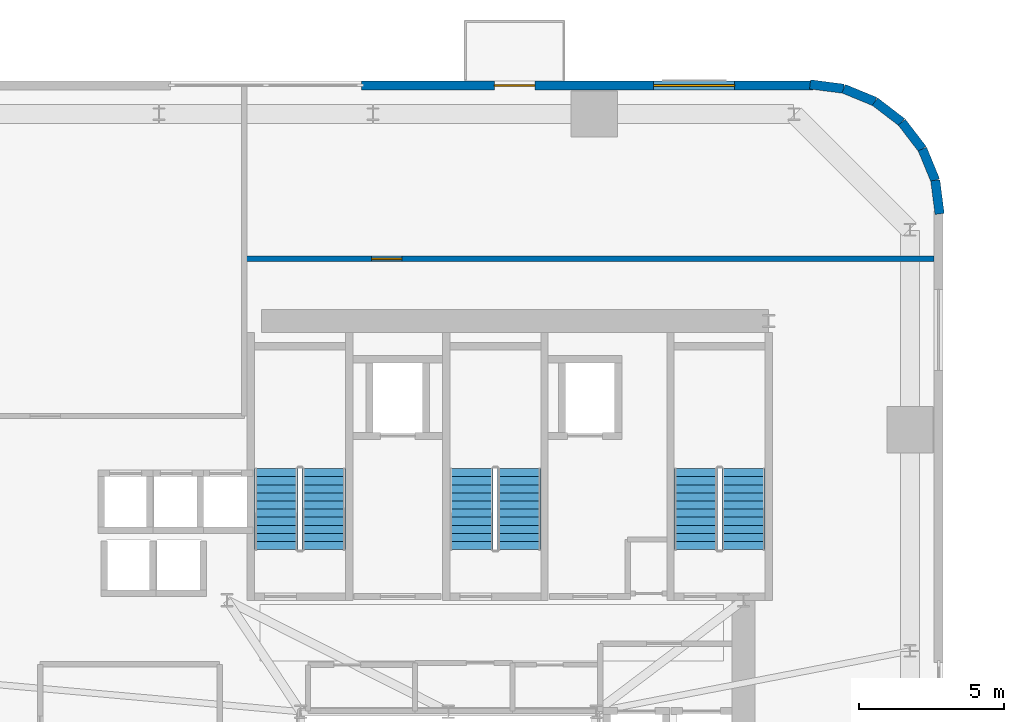
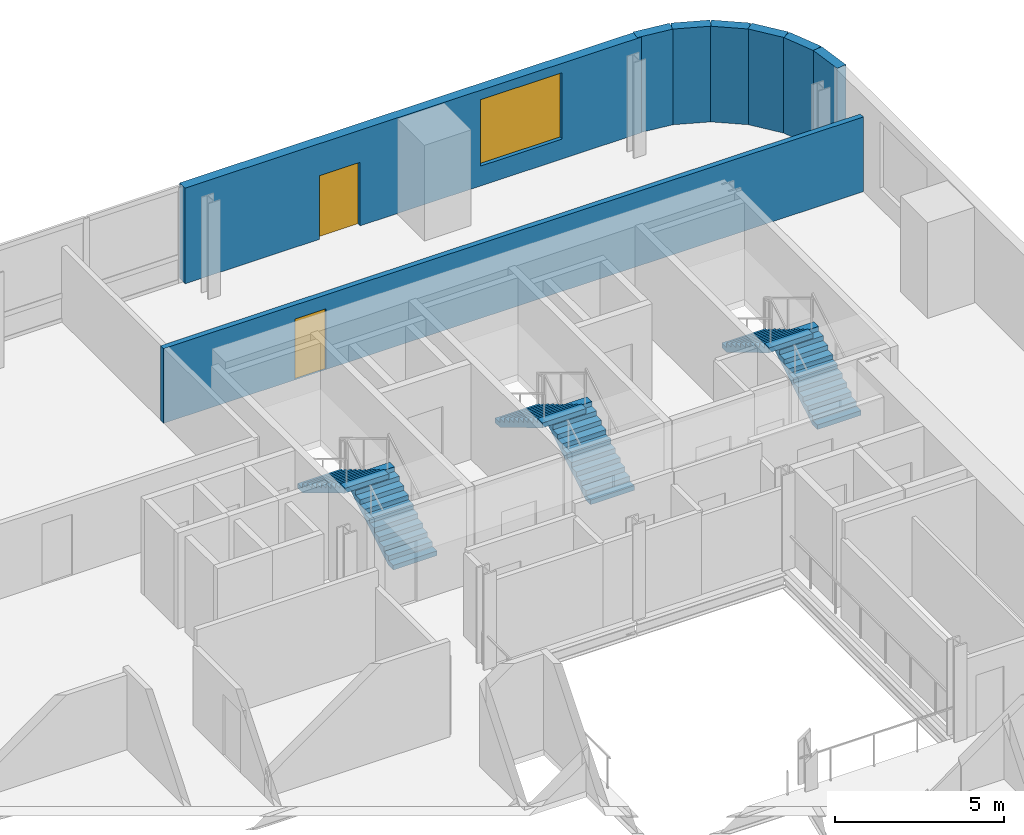
# One storey, part 9 of 14: 8 walls, 6 stair flights, 2 doors, 1 window, 3 openings, 3 elements without a shape of their own.
"""IFC4 building model written with IfcOpenShell, lengths in metres."""

import ifcopenshell
import ifcopenshell.guid

model = None  # the IFC model being written
_history = None  # IfcOwnerHistory: only IFC2X3 demands one
_inside = {}  # id of a spatial element -> (the spatial element, [elements in it])
_under = {}  # id of a project, library or spatial element -> (it, [spatial elements below it])
_declared = {}  # id of a project -> (the project, [libraries it declares])
_typed = {}  # id of a type object -> (the type object, [elements of that type])
_made_of = {}  # id of a material, layer set ... -> (it, [elements and type objects made of it])


def new_model(schema):
    """Start an empty IFC model of exactly this schema.

    Asked for "IFC4X3", IfcOpenShell would pick the latest addendum, in which some entities
    have other attributes; the version numbers below select the first issue.
    IFC2X3 requires an IfcOwnerHistory on every rooted entity: one is made here for all.
    """
    global model, _history
    if schema == "IFC4X3":
        model = ifcopenshell.file(schema_version=(4, 3, 0, 0))
    else:
        model = ifcopenshell.file(schema=schema)
    _inside.clear()
    _under.clear()
    _declared.clear()
    _typed.clear()
    _made_of.clear()
    _history = None
    if model.schema == "IFC2X3":
        org = make("IfcOrganization", Name="unknown")
        user = make(
            "IfcPersonAndOrganization",
            ThePerson=make("IfcPerson", FamilyName="unknown"),
            TheOrganization=org,
        )
        app = make(
            "IfcApplication",
            ApplicationDeveloper=org,
            Version="unknown",
            ApplicationFullName="unknown",
            ApplicationIdentifier="unknown",
        )
        _history = make(
            "IfcOwnerHistory",
            OwningUser=user,
            OwningApplication=app,
            ChangeAction="ADDED",
            CreationDate=0,
        )
    return model


def make(cls, **values):
    """One entity of the class cls with the attributes given. An attribute that is None is left unset."""
    return model.create_entity(
        cls, **{name: value for name, value in values.items() if value is not None}
    )


def rooted(cls, **values):
    """An entity with a GlobalId (a new one), such as an element, a storey or a relation."""
    return make(cls, GlobalId=ifcopenshell.guid.new(), OwnerHistory=_history, **values)


def si_unit(unit_type, name, prefix=None):
    """IfcSIUnit, for example si_unit("LENGTHUNIT", "METRE", prefix="MILLI")."""
    return make("IfcSIUnit", UnitType=unit_type, Prefix=prefix, Name=name)


def assignment(units):
    """IfcUnitAssignment: the units of a project."""
    return None if units is None else make("IfcUnitAssignment", Units=units)


def point(xyz):
    """IfcCartesianPoint."""
    return None if xyz is None else make("IfcCartesianPoint", Coordinates=xyz)


def direction(xyz):
    """IfcDirection."""
    return None if xyz is None else make("IfcDirection", DirectionRatios=xyz)


def frame(location, z_axis=None, x_axis=None):
    """IfcAxis2Placement3D, a coordinate frame: its origin and axes. An axis left out is left unset."""
    return make(
        "IfcAxis2Placement3D",
        Location=point(location),
        Axis=direction(z_axis),
        RefDirection=direction(x_axis),
    )


def frame_2d(location, x_axis=None):
    """IfcAxis2Placement2D, a coordinate frame in the plane: its origin and x axis."""
    return make(
        "IfcAxis2Placement2D", Location=point(location), RefDirection=direction(x_axis)
    )


def origin():
    """The frame at (0, 0, 0) with its axes left unset."""
    return frame((0.0, 0.0, 0.0))


def place(relative_to, where):
    """IfcLocalPlacement: puts the frame where relative to a parent placement (None: the world)."""
    return make(
        "IfcLocalPlacement", PlacementRelTo=relative_to, RelativePlacement=where
    )


def context(
    kind, dimensions, precision=None, world=None, true_north=None, identifier=None
):
    """IfcGeometricRepresentationContext, for example the 3D "Model" context."""
    return make(
        "IfcGeometricRepresentationContext",
        ContextIdentifier=identifier,
        ContextType=kind,
        CoordinateSpaceDimension=dimensions,
        Precision=precision,
        WorldCoordinateSystem=world,
        TrueNorth=true_north,
    )


def subcontext(parent, identifier, kind, view, scale=None):
    """IfcGeometricRepresentationSubContext, for example "Body" below "Model"."""
    return make(
        "IfcGeometricRepresentationSubContext",
        ContextIdentifier=identifier,
        ContextType=kind,
        ParentContext=parent,
        TargetScale=scale,
        TargetView=view,
    )


def project(units=None, contexts=None):
    """IfcProject with its units and contexts."""
    return rooted(
        "IfcProject",
        Name="project",
        RepresentationContexts=contexts,
        UnitsInContext=assignment(units),
    )


def spatial(cls, under=None, at=None, **own):
    """A site, building, storey or space (cls), placed at a placement, below another one or the project."""
    s = rooted(cls, ObjectPlacement=at, **own)
    if under is not None:
        _under.setdefault(under.id(), (under, []))[1].append(s)
    return s


def polyline(points):
    """IfcPolyline through the points."""
    return make("IfcPolyline", Points=[point(p) for p in points])


def profile(cls, at=None, kind="AREA", **sizes):
    """A parametric profile (cls). Its sizes go by their IFC names, for example OverallWidth=200.0."""
    return make(cls, ProfileType=kind, Position=at, **sizes)


def rectangle(**sizes):
    """IfcRectangleProfileDef."""
    return profile("IfcRectangleProfileDef", **sizes)


def outline(outer, holes=None, kind="AREA"):
    """IfcArbitraryClosedProfileDef: a profile drawn as a closed curve; with holes, ...WithVoids."""
    if holes is None:
        return make("IfcArbitraryClosedProfileDef", ProfileType=kind, OuterCurve=outer)
    return make(
        "IfcArbitraryProfileDefWithVoids",
        ProfileType=kind,
        OuterCurve=outer,
        InnerCurves=holes,
    )


def extrude(swept, where, along, depth):
    """IfcExtrudedAreaSolid: the profile swept, set in the frame where, extruded along a direction by depth."""
    return make(
        "IfcExtrudedAreaSolid",
        SweptArea=swept,
        Position=where,
        ExtrudedDirection=direction(along),
        Depth=depth,
    )


def shape(context_of_items, identifier, shape_type, items):
    """IfcShapeRepresentation: the items that make up one representation, for example the "Body"."""
    return make(
        "IfcShapeRepresentation",
        ContextOfItems=context_of_items,
        RepresentationIdentifier=identifier,
        RepresentationType=shape_type,
        Items=items,
    )


def source(mapping_origin, context_of_items, identifier, shape_type, items):
    """IfcRepresentationMap: a shape defined once, which mapped items show again and again."""
    return make(
        "IfcRepresentationMap",
        MappingOrigin=mapping_origin,
        MappedRepresentation=shape(context_of_items, identifier, shape_type, items),
    )


def transform(
    local_origin,
    x_axis=None,
    y_axis=None,
    z_axis=None,
    scale=None,
    scale2=None,
    scale3=None,
    uniform=True,
):
    """IfcCartesianTransformationOperator3D, or its non-uniform kind. x_axis, y_axis, z_axis: its Axis1, 2, 3."""
    if uniform:
        return make(
            "IfcCartesianTransformationOperator3D",
            Axis1=direction(x_axis),
            Axis2=direction(y_axis),
            LocalOrigin=point(local_origin),
            Scale=scale,
            Axis3=direction(z_axis),
        )
    return make(
        "IfcCartesianTransformationOperator3DnonUniform",
        Axis1=direction(x_axis),
        Axis2=direction(y_axis),
        LocalOrigin=point(local_origin),
        Scale=scale,
        Axis3=direction(z_axis),
        Scale2=scale2,
        Scale3=scale3,
    )


def mapped(mapping_source, mapping_target):
    """IfcMappedItem: shows the shape of a source again, moved by a transform."""
    return make(
        "IfcMappedItem", MappingSource=mapping_source, MappingTarget=mapping_target
    )


def material(Name=None, Category=None):
    """IfcMaterial."""
    return make("IfcMaterial", Name=Name, Category=Category)


def layer(
    of_material, thickness, ventilated=None, Name=None, Category=None, Priority=None
):
    """IfcMaterialLayer: one layer of a wall or slab, of a material (None: an air gap)."""
    return make(
        "IfcMaterialLayer",
        Material=of_material,
        LayerThickness=thickness,
        IsVentilated=ventilated,
        Name=Name,
        Category=Category,
        Priority=Priority,
    )


def layer_set(layers, Name=None):
    """IfcMaterialLayerSet."""
    return make("IfcMaterialLayerSet", MaterialLayers=layers, LayerSetName=Name)


def made_of(thing, what):
    """Note that an element or type object is made of a material, layer set ...; save() writes the relation."""
    if what is not None:
        _made_of.setdefault(what.id(), (what, []))[1].append(thing)
    return thing


def type_object(cls, material=None, **own):
    """A type object (cls), such as IfcWallType, which elements share."""
    return made_of(rooted(cls, **own), material)


def element(
    cls,
    number,
    at=None,
    inside=None,
    cuts=None,
    type_object=None,
    material=None,
    context=None,
    identifier="Body",
    shape_type=None,
    held_by="IfcProductDefinitionShape",
    body=None,
    shapes=None,
    **own,
):
    """One element of the class cls, such as IfcWall. Its Tag is "e" and its number.

    at: its placement. inside: the storey or other place that contains it. cuts: it is an
    opening in that element (IfcRelVoidsElement). A single representation is given by context,
    identifier, shape_type and body (its items); several are given by shapes. held_by: the class
    of the entity that holds the representations. save() writes the other relations.
    """
    e = rooted(cls, Tag="e%d" % number, ObjectPlacement=at, **own)
    if body is not None:
        shapes = [shape(context, identifier, shape_type, body)]
    if shapes is not None:
        e.Representation = make(held_by, Representations=shapes)
    if inside is not None:
        _inside.setdefault(inside.id(), (inside, []))[1].append(e)
    if cuts is not None:
        rooted(
            "IfcRelVoidsElement", RelatingBuildingElement=cuts, RelatedOpeningElement=e
        )
    if type_object is not None:
        _typed.setdefault(type_object.id(), (type_object, []))[1].append(e)
    return made_of(e, material)


def fill(opening, filler):
    """IfcRelFillsElement: the door or window that sits in an opening."""
    return rooted(
        "IfcRelFillsElement",
        RelatingOpeningElement=opening,
        RelatedBuildingElement=filler,
    )


def aggregate(whole, parts):
    """IfcRelAggregates: a whole, such as a stair, and the parts it consists of."""
    return rooted("IfcRelAggregates", RelatingObject=whole, RelatedObjects=parts)


def save(model, path):
    """Write the relations noted so far, then the file.

    IfcRelAggregates (storeys below a building ...), IfcRelContainedInSpatialStructure (elements
    in a storey), IfcRelDefinesByType, IfcRelAssociatesMaterial and IfcRelDeclares: one each for
    every whole, place, type object, material and project.
    """
    for whole, parts in _under.values():
        aggregate(whole, parts)
    for where, things in _inside.values():
        rooted(
            "IfcRelContainedInSpatialStructure",
            RelatedElements=things,
            RelatingStructure=where,
        )
    for kind, things in _typed.values():
        rooted("IfcRelDefinesByType", RelatedObjects=things, RelatingType=kind)
    for what, things in _made_of.values():
        rooted("IfcRelAssociatesMaterial", RelatedObjects=things, RelatingMaterial=what)
    for by, libraries in _declared.values():
        rooted("IfcRelDeclares", RelatingContext=by, RelatedDefinitions=libraries)
    model.write(path)


model = new_model("IFC4")

# Units and contexts
model_context = context("Model", 3, precision=1e-05, world=origin(), true_north=direction((0.0, 1.0)))
body_context = subcontext(model_context, "Body", "Model", "MODEL_VIEW")
ifc_project = project(units=[si_unit("LENGTHUNIT", "METRE"), si_unit("AREAUNIT", "SQUARE_METRE"), si_unit("VOLUMEUNIT", "CUBIC_METRE"), si_unit("PLANEANGLEUNIT", "RADIAN"), si_unit("MASSUNIT", "GRAM", prefix="KILO")], contexts=[model_context])

# Site, building, storey
site_placement = place(None, origin())
site = spatial("IfcSite", under=ifc_project, at=site_placement, CompositionType="ELEMENT")
building_placement = place(site_placement, origin())
building = spatial("IfcBuilding", under=site, at=building_placement, Name="Vardaveli Station Tower", CompositionType="ELEMENT")
storey_placement = place(building_placement, frame((0.0, 0.0, 126.10009765625)))
storey = spatial("IfcBuildingStorey", under=building, at=storey_placement, Name="L32", CompositionType="ELEMENT", Elevation=126.10009765625)

# Wall, openings, door, window
ifc_material_1 = material(Name="Precast concrete C45/55", Category="concrete")
ifc_layer_1 = layer(ifc_material_1, 0.320068359375, Name="Precast concrete C45/55")
ifc_layer_set_1 = layer_set([ifc_layer_1], Name="Precast concrete C45/55")
wall_type_1 = type_object("IfcWallType", Name="WAL-EXT-STONE-320", PredefinedType="SOLIDWALL", material=ifc_layer_set_1)
shared_shape_1 = source(origin(), body_context, "Body", "SweptSolid", [
    extrude(rectangle(XDim=15.599853515625, YDim=0.320068359375, at=frame_2d((7.7998046875, 0.0))), origin(), (0.0, 0.0, 1.0), 3.4599609375),
])
wall_1_placement = place(storey_placement, frame((48.89990234375, 48.43994140625, 0.0), z_axis=(0.0, 0.0, 1.0), x_axis=(-1.0, 0.0, 0.0)))
wall_1 = element("IfcWall", 1, at=wall_1_placement, inside=storey, type_object=wall_type_1, Name="EW-L32-N1", PredefinedType="SOLIDWALL", context=body_context, shape_type="MappedRepresentation", body=[
    mapped(shared_shape_1, transform((0.0, 0.0, 0.0), scale=1.0)),
])
shared_shape_2 = source(origin(), body_context, "Body", "SweptSolid", [
    extrude(rectangle(XDim=1.39990234375, YDim=2.300048828125, at=frame_2d((0.699951171875, 1.14990234375))), frame((0.0, 0.169921875, 0.0), z_axis=(0.0, -1.0, 0.0), x_axis=(1.0, 0.0, 0.0)), (0.0, 0.0, 1.0), 0.340087890625),
])
opening_1_placement = place(wall_1_placement, frame((9.6103515625, 0.0, 0.0)))
opening_1 = element("IfcOpeningElement", 2, at=opening_1_placement, cuts=wall_1, Name="Opening D-09", PredefinedType="OPENING", context=body_context, shape_type="MappedRepresentation", body=[
    mapped(shared_shape_2, transform((0.0, 0.0, 0.0), scale=1.0)),
])
shared_shape_3 = source(origin(), body_context, "Body", "SweptSolid", [
    extrude(rectangle(XDim=2.800048828125, YDim=2.39990234375, at=frame_2d((1.39990234375, 1.199951171875))), frame((0.0, 0.169921875, 0.0), z_axis=(0.0, -1.0, 0.0), x_axis=(1.0, 0.0, 0.0)), (0.0, 0.0, 1.0), 0.340087890625),
])
opening_2_placement = place(wall_1_placement, frame((2.705078125, 0.0, 0.719970703125)))
opening_2 = element("IfcOpeningElement", 3, at=opening_2_placement, cuts=wall_1, Name="Opening W-04", PredefinedType="OPENING", context=body_context, shape_type="MappedRepresentation", body=[
    mapped(shared_shape_3, transform((0.0, 0.0, 0.0), scale=1.0)),
])
ifc_material_2 = material(Name="Thermally broken aluminium glass", Category="aluminium")
door_type_1 = type_object("IfcDoorType", Name="DR-LOG-1400x2300", OperationType="DOUBLE_DOOR_SLIDING", PredefinedType="DOOR", material=ifc_material_2)
shared_shape_4 = source(origin(), body_context, "Body", "SweptSolid", [
    extrude(rectangle(XDim=1.39990234375, YDim=2.300048828125, at=frame_2d((0.699951171875, 1.14990234375))), frame((0.0, 0.02490234375, 0.0), z_axis=(0.0, -1.0, 0.0), x_axis=(1.0, 0.0, 0.0)), (0.0, 0.0, 1.0), 0.050048828125),
])
door_1_placement = place(opening_1_placement, frame((1.39990234375, 0.0, 0.0), z_axis=(0.0, 0.0, 1.0), x_axis=(-1.0, 0.0, 0.0)))
door_1 = element("IfcDoor", 4, at=door_1_placement, inside=storey, type_object=door_type_1, Name="DLG-L32-N", OperationType="DOUBLE_DOOR_SLIDING", OverallHeight=2.300048828125, OverallWidth=1.39990234375, PredefinedType="DOOR", context=body_context, shape_type="MappedRepresentation", body=[
    mapped(shared_shape_4, transform((0.0, 0.0, 0.0), scale=1.0)),
])
fill(opening_1, door_1)
ifc_material_3 = material(Name="Low-E solar-control glass", Category="glass")
window_type = type_object("IfcWindowType", Name="WIN-SUITE-2800x2400", PartitioningType="SINGLE_PANEL", PredefinedType="WINDOW", material=ifc_material_3)
shared_shape_5 = source(origin(), body_context, "Body", "SweptSolid", [
    extrude(rectangle(XDim=2.800048828125, YDim=2.39990234375, at=frame_2d((1.39990234375, 1.199951171875))), frame((0.0, 0.030029296875, 0.0), z_axis=(0.0, -1.0, 0.0), x_axis=(1.0, 0.0, 0.0)), (0.0, 0.0, 1.0), 0.06005859375),
])
window_placement = place(opening_2_placement, origin())
window = element("IfcWindow", 5, at=window_placement, inside=storey, type_object=window_type, Name="WN-L32-N1", OverallHeight=2.39990234375, OverallWidth=2.800048828125, PartitioningType="SINGLE_PANEL", PredefinedType="WINDOW", context=body_context, shape_type="MappedRepresentation", body=[
    mapped(shared_shape_5, transform((0.0, 0.0, 0.0), scale=1.0)),
])
fill(opening_2, window)

# Walls
shared_shape_6 = source(origin(), body_context, "Body", "SweptSolid", [
    extrude(rectangle(XDim=1.1689453125, YDim=0.320068359375, at=frame_2d((0.58447265625, 0.0))), origin(), (0.0, 0.0, 1.0), 3.4599609375),
])
wall_2_placement = place(storey_placement, frame((52.679931640625, 46.2412109375, 0.0), z_axis=(0.0, 0.0, 1.0), x_axis=(-0.608387696831, 0.793639975269, 0.0)))
element("IfcWall", 6, at=wall_2_placement, inside=storey, type_object=wall_type_1, Name="EW-L32-CR3-3", PredefinedType="SOLIDWALL", context=body_context, shape_type="MappedRepresentation", body=[
    mapped(shared_shape_6, transform((0.0, 0.0, 0.0), scale=1.0)),
])
shared_shape_7 = source(origin(), body_context, "Body", "SweptSolid", [
    extrude(rectangle(XDim=1.168701171875, YDim=0.320068359375, at=frame_2d((0.58447265625, 0.0))), origin(), (0.0, 0.0, 1.0), 3.4599609375),
])
wall_3_placement = place(storey_placement, frame((51.96875, 47.1689453125, 0.0), z_axis=(0.0, 0.0, 1.0), x_axis=(-0.793663520347, 0.608356981114, 0.0)))
element("IfcWall", 7, at=wall_3_placement, inside=storey, type_object=wall_type_1, Name="EW-L32-CR3-4", PredefinedType="SOLIDWALL", context=body_context, shape_type="MappedRepresentation", body=[
    mapped(shared_shape_7, transform((0.0, 0.0, 0.0), scale=1.0)),
])
shared_shape_8 = source(origin(), body_context, "Body", "SweptSolid", [
    extrude(rectangle(XDim=1.17041015625, YDim=0.320068359375, at=frame_2d((0.585205078125, 0.0))), origin(), (0.0, 0.0, 1.0), 3.4599609375),
])
for number, where, z_axis, x_axis, name in (
    (8, (53.275634765625, 43.99951171875, 0.0), (0.0, 0.0, 1.0), (-0.128295670475, 0.991735963317, 0.0), "EW-L32-CR3-1"),
    (9, (49.960205078125, 48.325439453125, 0.0), (0.0, 0.0, 1.0), (-0.991735963317, 0.128295670475, 0.0), "EW-L32-CR3-6"),
):
    element("IfcWall", number, at=place(storey_placement, frame(where, z_axis=z_axis, x_axis=x_axis)), inside=storey, type_object=wall_type_1, Name=name, PredefinedType="SOLIDWALL", context=body_context, shape_type="MappedRepresentation", body=[
        mapped(shared_shape_8, transform((0.0, 0.0, 0.0), scale=1.0)),
    ])
shared_shape_9 = source(origin(), body_context, "Body", "SweptSolid", [
    extrude(rectangle(XDim=1.169189453125, YDim=0.320068359375, at=frame_2d((0.58447265625, 0.0))), origin(), (0.0, 0.0, 1.0), 3.4599609375),
])
for number, where, z_axis, x_axis, name in (
    (10, (53.12548828125, 45.16015625, 0.0), (0.0, 0.0, 1.0), (-0.381054331552, 0.924552646638, 0.0), "EW-L32-CR3-2"),
    (11, (51.041259765625, 47.8798828125, 0.0), (0.0, 0.0, 1.0), (-0.924552646638, 0.381054331552, 0.0), "EW-L32-CR3-5"),
):
    element("IfcWall", number, at=place(storey_placement, frame(where, z_axis=z_axis, x_axis=x_axis)), inside=storey, type_object=wall_type_1, Name=name, PredefinedType="SOLIDWALL", context=body_context, shape_type="MappedRepresentation", body=[
        mapped(shared_shape_9, transform((0.0, 0.0, 0.0), scale=1.0)),
    ])

# Wall, opening, door
ifc_material_4 = material(Name="Fire-rated gypsum stud partition")
ifc_layer_2 = layer(ifc_material_4, 0.179931640625, Name="Fire-rated gypsum stud partition")
ifc_layer_set_2 = layer_set([ifc_layer_2], Name="Fire-rated gypsum stud partition")
wall_type_2 = type_object("IfcWallType", Name="WAL-CORR-180", PredefinedType="PARTITIONING", material=ifc_layer_set_2)
shared_shape_10 = source(origin(), body_context, "Body", "SweptSolid", [
    extrude(rectangle(XDim=23.927978515625, YDim=0.179931640625, at=frame_2d((11.9638671875, 0.0))), origin(), (0.0, 0.0, 1.0), 2.701904296875),
])
wall_4_placement = place(storey_placement, frame((29.14990234375, 42.449951171875, 0.0), z_axis=(0.0, 0.0, 1.0), x_axis=(1.0, 0.0, 0.0)))
wall_4 = element("IfcWall", 12, at=wall_4_placement, inside=storey, type_object=wall_type_2, Name="W-L32-NPS", PredefinedType="PARTITIONING", context=body_context, shape_type="MappedRepresentation", body=[
    mapped(shared_shape_10, transform((0.0, 0.0, 0.0), scale=1.0)),
])
shared_shape_11 = source(origin(), body_context, "Body", "SweptSolid", [
    extrude(rectangle(XDim=1.050048828125, YDim=2.199951171875, at=frame_2d((0.52490234375, 1.10009765625))), frame((0.0, 0.10009765625, 0.0), z_axis=(0.0, -1.0, 0.0), x_axis=(1.0, 0.0, 0.0)), (0.0, 0.0, 1.0), 0.199951171875),
])
opening_3_placement = place(wall_4_placement, frame((4.5, 0.0, 0.0)))
opening_3 = element("IfcOpeningElement", 13, at=opening_3_placement, cuts=wall_4, Name="Opening D-05", PredefinedType="OPENING", context=body_context, shape_type="MappedRepresentation", body=[
    mapped(shared_shape_11, transform((0.0, 0.0, 0.0), scale=1.0)),
])
ifc_material_5 = material(Name="Walnut veneer acoustic fire door")
door_type_2 = type_object("IfcDoorType", Name="DR-SUITE-1050x2200", OperationType="NOTDEFINED", PredefinedType="DOOR", material=ifc_material_5)
shared_shape_12 = source(origin(), body_context, "Body", "SweptSolid", [
    extrude(rectangle(XDim=1.050048828125, YDim=2.199951171875, at=frame_2d((0.52490234375, 1.10009765625))), frame((0.0, 0.02490234375, 0.0), z_axis=(0.0, -1.0, 0.0), x_axis=(1.0, 0.0, 0.0)), (0.0, 0.0, 1.0), 0.050048828125),
])
door_2_placement = place(opening_3_placement, origin())
door_2 = element("IfcDoor", 14, at=door_2_placement, inside=storey, type_object=door_type_2, Name="D-L32-NP1", OperationType="SINGLE_SWING_RIGHT", OverallHeight=2.199951171875, OverallWidth=1.050048828125, PredefinedType="DOOR", context=body_context, shape_type="MappedRepresentation", body=[
    mapped(shared_shape_12, transform((0.0, 0.0, 0.0), scale=1.0)),
])
fill(opening_3, door_2)

# Stair, stair flights
ifc_material_6 = material(Name="Concrete C40/50", Category="concrete")
stair_type = type_object("IfcStairType", Name="STR-CORE-1500", PredefinedType="HALF_TURN_STAIR", material=ifc_material_6)
stair_1_placement = place(storey_placement, origin())
stair_1 = element("IfcStair", 15, at=stair_1_placement, inside=storey, type_object=stair_type, Name="L32 ST-1", PredefinedType="HALF_TURN_STAIR")
stair_flight_type = type_object("IfcStairFlightType", Name="SFL-CORE-1500", PredefinedType="STRAIGHT", material=ifc_material_6)
shared_shape_13 = source(origin(), body_context, "Body", "SweptSolid", [
    extrude(outline(polyline([(0.0, 0.0), (0.0, 0.168212890625), (0.280029296875, 0.168212890625), (0.280029296875, 0.33642578125), (0.56005859375, 0.33642578125), (0.56005859375, 0.504638671875), (0.840087890625, 0.504638671875), (0.840087890625, 0.672607421875), (1.1201171875, 0.672607421875), (1.1201171875, 0.8408203125), (1.39990234375, 0.8408203125), (1.39990234375, 1.009033203125), (1.679931640625, 1.009033203125), (1.679931640625, 1.17724609375), (1.9599609375, 1.17724609375), (1.9599609375, 1.345458984375), (2.239990234375, 1.345458984375), (2.239990234375, 1.513671875), (2.52001953125, 1.513671875), (2.52001953125, 1.681884765625), (2.800048828125, 1.681884765625), (2.800048828125, 1.85009765625), (2.800048828125, 1.5068359375), (0.291015625, 0.0), (0.0, 0.0)])), frame((0.0, 0.75, 0.0), z_axis=(0.0, -1.0, 0.0), x_axis=(1.0, 0.0, 0.0)), (0.0, 0.0, 1.0), 1.5),
])
stair_flight_1_placement = place(storey_placement, frame((32.0, 32.39990234375, 0.0), z_axis=(0.0, 0.0, 1.0), x_axis=(0.0, 1.0, 0.0)))
stair_flight_1 = element("IfcStairFlight", 16, at=stair_flight_1_placement, type_object=stair_flight_type, Name="ST-1 flight 1", NumberOfRisers=11, NumberOfTreads=10, PredefinedType="STRAIGHT", RiserHeight=0.168181818, TreadLength=0.28, context=body_context, shape_type="MappedRepresentation", body=[
    mapped(shared_shape_13, transform((0.0, 0.0, 0.0), scale=1.0)),
])
stair_flight_2_placement = place(storey_placement, frame((30.35009765625, 35.199951171875, 1.849853515625), z_axis=(0.0, 0.0, 1.0), x_axis=(0.0, -1.0, 0.0)))
stair_flight_2 = element("IfcStairFlight", 17, at=stair_flight_2_placement, type_object=stair_flight_type, Name="ST-1 flight 2", NumberOfRisers=11, NumberOfTreads=10, PredefinedType="STRAIGHT", RiserHeight=0.168181818, TreadLength=0.28, context=body_context, shape_type="MappedRepresentation", body=[
    mapped(shared_shape_13, transform((0.0, 0.0, 0.0), scale=1.0)),
])
aggregate(stair_1, [stair_flight_1, stair_flight_2])

stair_2_placement = place(storey_placement, origin())
stair_2 = element("IfcStair", 18, at=stair_2_placement, inside=storey, type_object=stair_type, Name="L32 ST-2", PredefinedType="HALF_TURN_STAIR")
stair_flight_3_placement = place(storey_placement, frame((38.75, 32.39990234375, 0.0), z_axis=(0.0, 0.0, 1.0), x_axis=(0.0, 1.0, 0.0)))
stair_flight_3 = element("IfcStairFlight", 19, at=stair_flight_3_placement, type_object=stair_flight_type, Name="ST-2 flight 1", NumberOfRisers=11, NumberOfTreads=10, PredefinedType="STRAIGHT", RiserHeight=0.168181818, TreadLength=0.28, context=body_context, shape_type="MappedRepresentation", body=[
    mapped(shared_shape_13, transform((0.0, 0.0, 0.0), scale=1.0)),
])
stair_flight_4_placement = place(storey_placement, frame((37.10009765625, 35.199951171875, 1.849853515625), z_axis=(0.0, 0.0, 1.0), x_axis=(0.0, -1.0, 0.0)))
stair_flight_4 = element("IfcStairFlight", 20, at=stair_flight_4_placement, type_object=stair_flight_type, Name="ST-2 flight 2", NumberOfRisers=11, NumberOfTreads=10, PredefinedType="STRAIGHT", RiserHeight=0.168181818, TreadLength=0.28, context=body_context, shape_type="MappedRepresentation", body=[
    mapped(shared_shape_13, transform((0.0, 0.0, 0.0), scale=1.0)),
])
aggregate(stair_2, [stair_flight_3, stair_flight_4])

stair_3_placement = place(storey_placement, origin())
stair_3 = element("IfcStair", 21, at=stair_3_placement, inside=storey, type_object=stair_type, Name="L32 ST-3", PredefinedType="HALF_TURN_STAIR")
stair_flight_5_placement = place(storey_placement, frame((46.5, 32.39990234375, 0.0), z_axis=(0.0, 0.0, 1.0), x_axis=(0.0, 1.0, 0.0)))
stair_flight_5 = element("IfcStairFlight", 22, at=stair_flight_5_placement, type_object=stair_flight_type, Name="ST-3 flight 1", NumberOfRisers=11, NumberOfTreads=10, PredefinedType="STRAIGHT", RiserHeight=0.168181818, TreadLength=0.28, context=body_context, shape_type="MappedRepresentation", body=[
    mapped(shared_shape_13, transform((0.0, 0.0, 0.0), scale=1.0)),
])
stair_flight_6_placement = place(storey_placement, frame((44.85009765625, 35.199951171875, 1.849853515625), z_axis=(0.0, 0.0, 1.0), x_axis=(0.0, -1.0, 0.0)))
stair_flight_6 = element("IfcStairFlight", 23, at=stair_flight_6_placement, type_object=stair_flight_type, Name="ST-3 flight 2", NumberOfRisers=11, NumberOfTreads=10, PredefinedType="STRAIGHT", RiserHeight=0.168181818, TreadLength=0.28, context=body_context, shape_type="MappedRepresentation", body=[
    mapped(shared_shape_13, transform((0.0, 0.0, 0.0), scale=1.0)),
])
aggregate(stair_3, [stair_flight_5, stair_flight_6])

save(model, "model.ifc")
